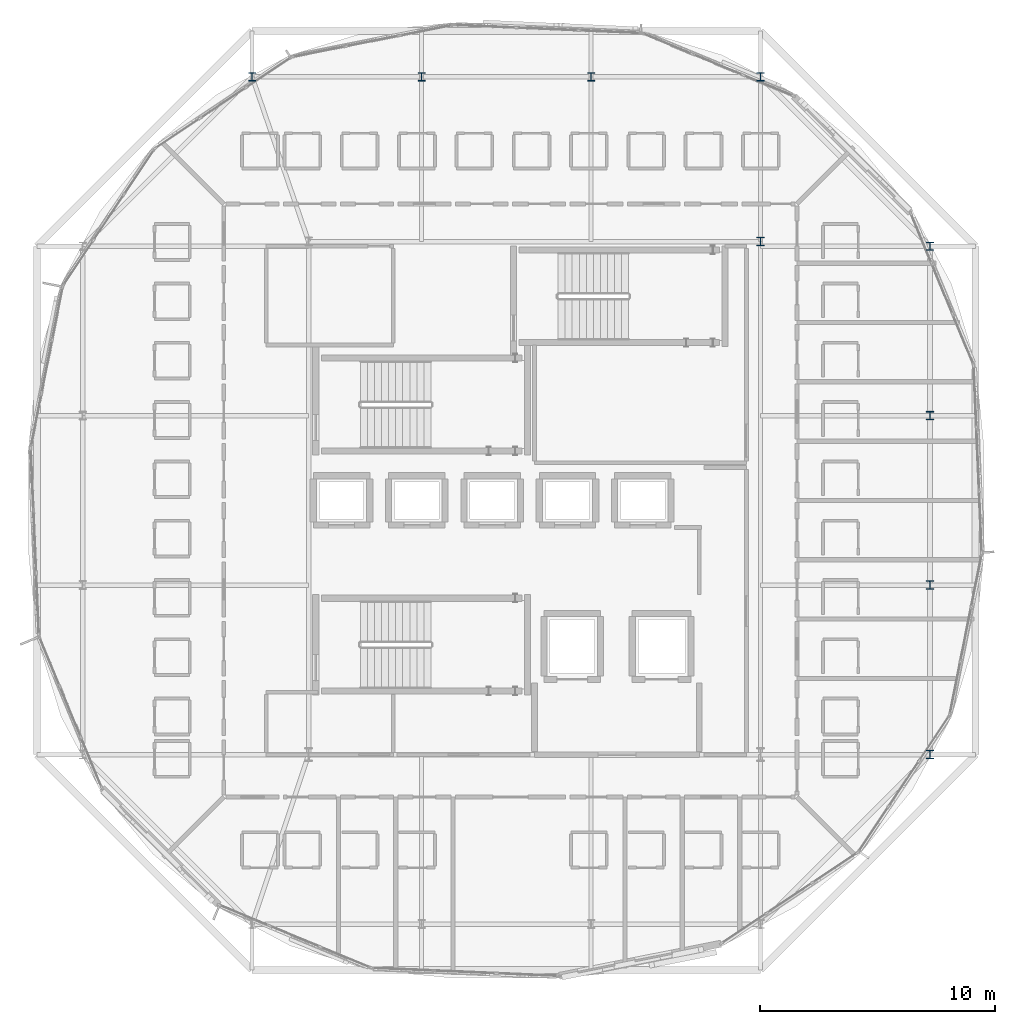
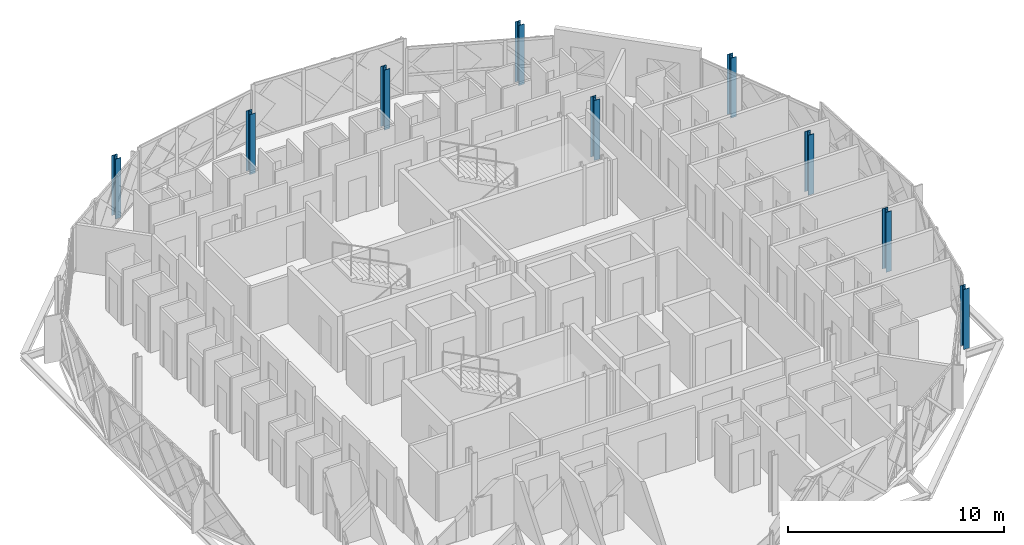
# One storey, part 3 of 24: 9 columns.
"""IFC4 building model written with IfcOpenShell, lengths in metres."""

from ifc_helpers import new_model, si_unit, direction, frame, origin, origin_2d, place, context, subcontext, project, spatial, i_section, extrude, material, material_profile, profile_set, type_object, element, save


model = new_model("IFC4")

# Units and contexts
model_context = context("Model", 3, precision=1e-05, world=origin(), true_north=direction((0.0, 1.0)))
body_context = subcontext(model_context, "Body", "Model", "MODEL_VIEW")
ifc_project = project(units=[si_unit("LENGTHUNIT", "METRE"), si_unit("AREAUNIT", "SQUARE_METRE"), si_unit("VOLUMEUNIT", "CUBIC_METRE"), si_unit("PLANEANGLEUNIT", "RADIAN"), si_unit("MASSUNIT", "GRAM", prefix="KILO")], contexts=[model_context])

# Site, building, storey
site_placement = place(None, origin())
site = spatial("IfcSite", under=ifc_project, at=site_placement, CompositionType="ELEMENT")
building_placement = place(site_placement, origin())
building = spatial("IfcBuilding", under=site, at=building_placement, Name="Zevrakil Square Congress Hotel", CompositionType="ELEMENT")
storey_placement = place(building_placement, frame((0.0, 0.0, 35.10009765625)))
storey = spatial("IfcBuildingStorey", under=building, at=storey_placement, Name="L10", CompositionType="ELEMENT", Elevation=35.10009765625)

# Columns
ifc_material = material(Name="Steel S355", Category="steel")
ifc_material_profile = material_profile(ifc_material, i_section(OverallWidth=0.300048828125, OverallDepth=0.360107421875, WebThickness=0.012451171875, FlangeThickness=0.0224609375, FilletRadius=0.027099609375, at=origin_2d()), Name="HEB 360")
ifc_profile_set = profile_set([ifc_material_profile], Name="Steel S355")
column_type = type_object("IfcColumnType", Name="COL-HEB360", PredefinedType="COLUMN", material=ifc_profile_set)
for number, where, z_axis, x_axis, name in (
    (1, (156.0, 38.60009765625, 0.0), (0.0, 0.0, 1.0), (1.0, 0.0, 0.0), "L10 drum core collar column CC02"),
    (2, (163.199951171875, 16.800048828125, 0.0), (0.0, 0.0, 1.0), (1.0, 0.0, 0.0), "L10 drum column DC05"),
    (3, (163.199951171875, 24.0, 0.0), (0.0, 0.0, 1.0), (1.0, 0.0, 0.0), "L10 drum column DC06"),
    (4, (163.199951171875, 31.199951171875, 0.0), (0.0, 0.0, 1.0), (1.0, 0.0, 0.0), "L10 drum column DC07"),
    (5, (163.199951171875, 38.39990234375, 0.0), (0.0, 0.0, 1.0), (1.0, 0.0, 0.0), "L10 drum column DC08"),
    (6, (156.0, 45.60009765625, 0.0), (0.0, 0.0, 1.0), (1.0, 0.0, 0.0), "L10 drum column DC09"),
    (7, (148.800048828125, 45.60009765625, 0.0), (0.0, 0.0, 1.0), (1.0, 0.0, 0.0), "L10 drum column DC10"),
    (8, (141.60009765625, 45.60009765625, 0.0), (0.0, 0.0, 1.0), (1.0, 0.0, 0.0), "L10 drum column DC11"),
    (9, (134.39990234375, 45.60009765625, 0.0), (0.0, 0.0, 1.0), (1.0, 0.0, 0.0), "L10 drum column DC12"),
):
    element("IfcColumn", number, at=place(storey_placement, frame(where, z_axis=z_axis, x_axis=x_axis)), inside=storey, type_object=column_type, Name=name, PredefinedType="COLUMN", context=body_context, shape_type="SweptSolid", body=[
        extrude(i_section(OverallWidth=0.300048828125, OverallDepth=0.360107421875, WebThickness=0.012451171875, FlangeThickness=0.0224609375, FilletRadius=0.027099609375, at=origin_2d()), origin(), (0.0, 0.0, 1.0), 3.39990234375),
    ])

save(model, "model.ifc")
